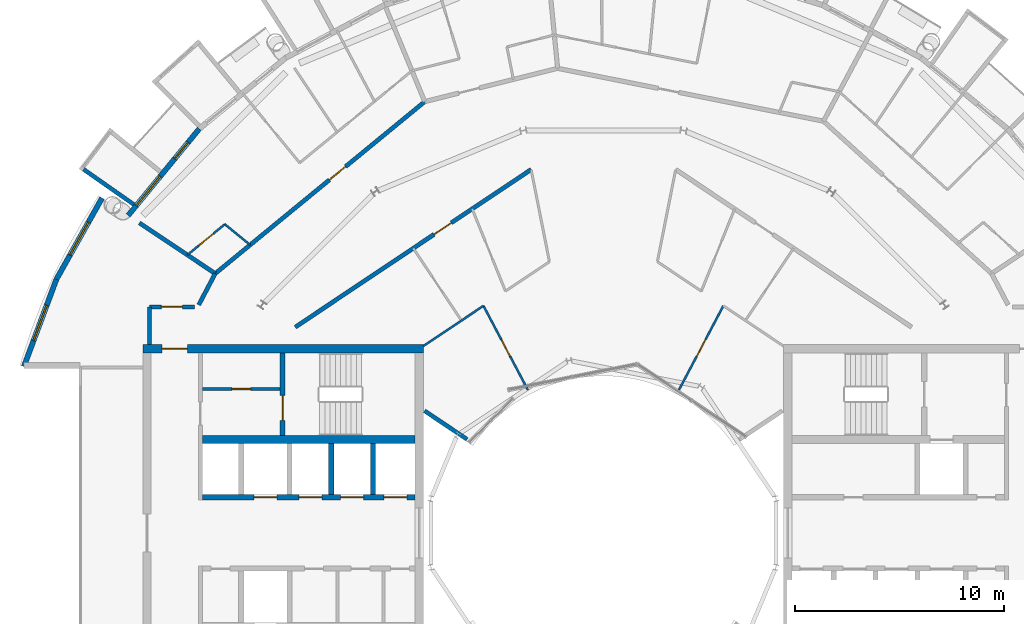
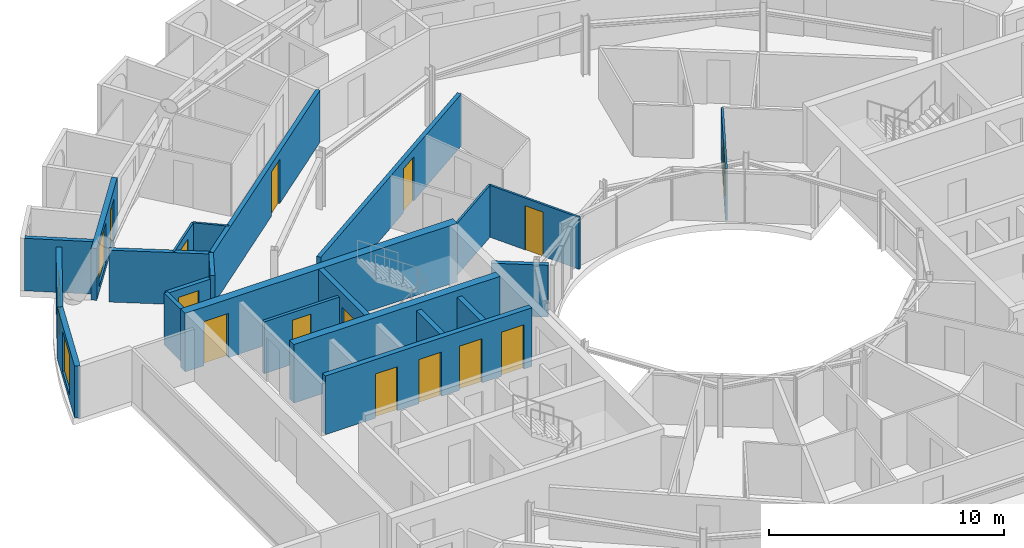
# One storey, part 20 of 28: 23 walls, 14 doors, 3 windows, 17 openings.
"""IFC4 building model written with IfcOpenShell, lengths in metres."""

from ifc_helpers import new_model, si_unit, direction, frame, frame_2d, origin, place, context, subcontext, project, spatial, rectangle, extrude, material, layer, layer_set, type_object, element, fill, save


model = new_model("IFC4")

# Units and contexts
model_context = context("Model", 3, precision=1e-05, world=origin(), true_north=direction((0.0, 1.0)))
body_context = subcontext(model_context, "Body", "Model", "MODEL_VIEW")
ifc_project = project(units=[si_unit("LENGTHUNIT", "METRE"), si_unit("AREAUNIT", "SQUARE_METRE"), si_unit("VOLUMEUNIT", "CUBIC_METRE"), si_unit("PLANEANGLEUNIT", "RADIAN"), si_unit("MASSUNIT", "GRAM", prefix="KILO")], contexts=[model_context])

# Site, building, storey
site_placement = place(None, origin())
site = spatial("IfcSite", under=ifc_project, at=site_placement, CompositionType="ELEMENT")
building_placement = place(site_placement, origin())
building = spatial("IfcBuilding", under=site, at=building_placement, Name="Maasbend Ring Residences", CompositionType="ELEMENT")
storey_placement = place(building_placement, frame((0.0, 0.0, 231.0)))
storey = spatial("IfcBuildingStorey", under=building, at=storey_placement, Name="L66", CompositionType="ELEMENT", Elevation=231.0)

# Wall, openings, doors
ifc_material_1 = material(Name="Concrete C50/60", Category="concrete")
ifc_layer_1 = layer(ifc_material_1, 0.25)
ifc_layer_set_1 = layer_set([ifc_layer_1], Name="Concrete C50/60")
wall_type_1 = type_object("IfcWallType", Name="CORE WALL 250 C50/60", PredefinedType="SHEAR", material=ifc_layer_set_1)
wall_1_placement = place(storey_placement, frame((-9.0, 1.699951171875, 0.0), z_axis=(0.0, 0.0, 1.0), x_axis=(-1.0, 0.0, 0.0)))
wall_1 = element("IfcWall", 1, at=wall_1_placement, inside=storey, type_object=wall_type_1, Name="L66 core W wall SPS", PredefinedType="SHEAR", context=body_context, shape_type="SweptSolid", body=[
    extrude(rectangle(XDim=10.14990234375, YDim=0.25, at=frame_2d((5.074951171875, 0.0))), origin(), (0.0, 0.0, 1.0), 3.050048828125),
])
opening_1_placement = place(wall_1_placement, frame((0.387451171875, 0.0, 0.0)))
opening_1 = element("IfcOpeningElement", 2, at=opening_1_placement, cuts=wall_1, Name="Opening LD-W6602", PredefinedType="OPENING", context=body_context, shape_type="SweptSolid", body=[
    extrude(rectangle(XDim=1.10009765625, YDim=2.300048828125, at=frame_2d((0.550048828125, 1.14990234375))), frame((0.0, 0.135009765625, 0.0), z_axis=(0.0, -1.0, 0.0), x_axis=(1.0, 0.0, 0.0)), (0.0, 0.0, 1.0), 0.27001953125),
])
opening_2_placement = place(wall_1_placement, frame((2.449951171875, 0.0, 0.0)))
opening_2 = element("IfcOpeningElement", 3, at=opening_2_placement, cuts=wall_1, Name="Opening LD-W6603", PredefinedType="OPENING", context=body_context, shape_type="SweptSolid", body=[
    extrude(rectangle(XDim=1.10009765625, YDim=2.300048828125, at=frame_2d((0.550048828125, 1.14990234375))), frame((0.0, 0.135009765625, 0.0), z_axis=(0.0, -1.0, 0.0), x_axis=(1.0, 0.0, 0.0)), (0.0, 0.0, 1.0), 0.27001953125),
])
opening_3_placement = place(wall_1_placement, frame((4.449951171875, 0.0, 0.0)))
opening_3 = element("IfcOpeningElement", 4, at=opening_3_placement, cuts=wall_1, Name="Opening LD-W6604", PredefinedType="OPENING", context=body_context, shape_type="SweptSolid", body=[
    extrude(rectangle(XDim=1.10009765625, YDim=2.300048828125, at=frame_2d((0.550048828125, 1.14990234375))), frame((0.0, 0.135009765625, 0.0), z_axis=(0.0, -1.0, 0.0), x_axis=(1.0, 0.0, 0.0)), (0.0, 0.0, 1.0), 0.27001953125),
])
opening_4_placement = place(wall_1_placement, frame((6.60009765625, 0.0, 0.0)))
opening_4 = element("IfcOpeningElement", 5, at=opening_4_placement, cuts=wall_1, Name="Opening LD-W6605", PredefinedType="OPENING", context=body_context, shape_type="SweptSolid", body=[
    extrude(rectangle(XDim=1.10009765625, YDim=2.300048828125, at=frame_2d((0.550048828125, 1.14990234375))), frame((0.0, 0.135009765625, 0.0), z_axis=(0.0, -1.0, 0.0), x_axis=(1.0, 0.0, 0.0)), (0.0, 0.0, 1.0), 0.27001953125),
])
ifc_material_2 = material(Name="Stainless steel 316", Category="steel")
door_type_1 = type_object("IfcDoorType", Name="LANDING DOOR 1100 X 2300 FD60", OperationType="DOUBLE_DOOR_SLIDING", PredefinedType="DOOR", material=ifc_material_2)
door_1_placement = place(opening_1_placement, origin())
door_1 = element("IfcDoor", 6, at=door_1_placement, inside=storey, type_object=door_type_1, Name="Landing door HR-W1 L66", OperationType="DOUBLE_DOOR_SLIDING", OverallHeight=2.300048828125, OverallWidth=1.10009765625, PredefinedType="DOOR", context=body_context, shape_type="SweptSolid", body=[
    extrude(rectangle(XDim=1.10009765625, YDim=2.300048828125, at=frame_2d((0.550048828125, 1.14990234375))), frame((0.0, 0.02490234375, 0.0), z_axis=(0.0, -1.0, 0.0), x_axis=(1.0, 0.0, 0.0)), (0.0, 0.0, 1.0), 0.050048828125),
])
fill(opening_1, door_1)
door_2_placement = place(opening_2_placement, origin())
door_2 = element("IfcDoor", 7, at=door_2_placement, inside=storey, type_object=door_type_1, Name="Landing door HR-W2 L66", OperationType="DOUBLE_DOOR_SLIDING", OverallHeight=2.300048828125, OverallWidth=1.10009765625, PredefinedType="DOOR", context=body_context, shape_type="SweptSolid", body=[
    extrude(rectangle(XDim=1.10009765625, YDim=2.300048828125, at=frame_2d((0.550048828125, 1.14990234375))), frame((0.0, 0.02490234375, 0.0), z_axis=(0.0, -1.0, 0.0), x_axis=(1.0, 0.0, 0.0)), (0.0, 0.0, 1.0), 0.050048828125),
])
fill(opening_2, door_2)
door_3_placement = place(opening_3_placement, origin())
door_3 = element("IfcDoor", 8, at=door_3_placement, inside=storey, type_object=door_type_1, Name="Landing door HR-W3 L66", OperationType="DOUBLE_DOOR_SLIDING", OverallHeight=2.300048828125, OverallWidth=1.10009765625, PredefinedType="DOOR", context=body_context, shape_type="SweptSolid", body=[
    extrude(rectangle(XDim=1.10009765625, YDim=2.300048828125, at=frame_2d((0.550048828125, 1.14990234375))), frame((0.0, 0.02490234375, 0.0), z_axis=(0.0, -1.0, 0.0), x_axis=(1.0, 0.0, 0.0)), (0.0, 0.0, 1.0), 0.050048828125),
])
fill(opening_3, door_3)
door_4_placement = place(opening_4_placement, origin())
door_4 = element("IfcDoor", 9, at=door_4_placement, inside=storey, type_object=door_type_1, Name="Landing door SV-W L66", OperationType="DOUBLE_DOOR_SLIDING", OverallHeight=2.300048828125, OverallWidth=1.10009765625, PredefinedType="DOOR", context=body_context, shape_type="SweptSolid", body=[
    extrude(rectangle(XDim=1.10009765625, YDim=2.300048828125, at=frame_2d((0.550048828125, 1.14990234375))), frame((0.0, 0.02490234375, 0.0), z_axis=(0.0, -1.0, 0.0), x_axis=(1.0, 0.0, 0.0)), (0.0, 0.0, 1.0), 0.050048828125),
])
fill(opening_4, door_4)

# Wall, opening, door
wall_2_placement = place(storey_placement, frame((-15.324951171875, 8.60009765625, 0.0), z_axis=(0.0, 0.0, 1.0), x_axis=(0.0, -1.0, 0.0)))
wall_2 = element("IfcWall", 10, at=wall_2_placement, inside=storey, type_object=wall_type_1, Name="L66 core W wall STES", PredefinedType="SHEAR", context=body_context, shape_type="SweptSolid", body=[
    extrude(rectangle(XDim=3.9501953125, YDim=0.25, at=frame_2d((1.97509765625, 0.0))), origin(), (0.0, 0.0, 1.0), 3.050048828125),
])
opening_5_placement = place(wall_2_placement, frame((2.02490234375, 0.0, 0.0)))
opening_5 = element("IfcOpeningElement", 11, at=opening_5_placement, cuts=wall_2, Name="Opening D-W6612", PredefinedType="OPENING", context=body_context, shape_type="SweptSolid", body=[
    extrude(rectangle(XDim=1.199951171875, YDim=2.300048828125, at=frame_2d((0.60009765625, 1.14990234375))), frame((0.0, 0.135009765625, 0.0), z_axis=(0.0, -1.0, 0.0), x_axis=(1.0, 0.0, 0.0)), (0.0, 0.0, 1.0), 0.27001953125),
])
ifc_material_3 = material(Name="Steel, powder coated", Category="steel")
door_type_2 = type_object("IfcDoorType", Name="STAIR DOOR 1200 X 2300 FD60", OperationType="NOTDEFINED", PredefinedType="DOOR", material=ifc_material_3)
door_5_placement = place(opening_5_placement, origin())
door_5 = element("IfcDoor", 12, at=door_5_placement, inside=storey, type_object=door_type_2, Name="Stair door ST-W L66", OperationType="SINGLE_SWING_LEFT", OverallHeight=2.300048828125, OverallWidth=1.199951171875, PredefinedType="DOOR", context=body_context, shape_type="SweptSolid", body=[
    extrude(rectangle(XDim=1.199951171875, YDim=2.300048828125, at=frame_2d((0.60009765625, 1.14990234375))), frame((0.0, 0.02490234375, 0.0), z_axis=(0.0, -1.0, 0.0), x_axis=(1.0, 0.0, 0.0)), (0.0, 0.0, 1.0), 0.050048828125),
])
fill(opening_5, door_5)

# Wall
ifc_material_4 = material(Name="Concrete C50/60", Category="concrete")
ifc_layer_2 = layer(ifc_material_4, 0.375)
ifc_layer_set_2 = layer_set([ifc_layer_2], Name="Concrete C50/60")
wall_type_2 = type_object("IfcWallType", Name="CORE WALL 375 C50/60", PredefinedType="SHEAR", material=ifc_layer_set_2)
wall_3_placement = place(storey_placement, frame((-9.0, 4.46240234375, 0.0), z_axis=(0.0, 0.0, 1.0), x_axis=(-1.0, 0.0, 0.0)))
element("IfcWall", 13, at=wall_3_placement, inside=storey, type_object=wall_type_2, Name="L66 core W wall BS", PredefinedType="SHEAR", context=body_context, shape_type="SweptSolid", body=[
    extrude(rectangle(XDim=10.14990234375, YDim=0.375, at=frame_2d((5.074951171875, 0.0))), origin(), (0.0, 0.0, 1.0), 3.050048828125),
])

# Wall, opening, door
ifc_material_5 = material(Name="Concrete C50/60", Category="concrete")
ifc_layer_3 = layer(ifc_material_5, 0.39990234375)
ifc_layer_set_3 = layer_set([ifc_layer_3], Name="Concrete C50/60")
wall_type_3 = type_object("IfcWallType", Name="CORE WALL 400 C50/60", PredefinedType="SHEAR", material=ifc_layer_set_3)
wall_4_placement = place(storey_placement, frame((-8.60009765625, 8.800048828125, 0.0), z_axis=(0.0, 0.0, 1.0), x_axis=(-1.0, 0.0, 0.0)))
wall_4 = element("IfcWall", 14, at=wall_4_placement, inside=storey, type_object=wall_type_3, Name="L66 core W wall PS", PredefinedType="SHEAR", context=body_context, shape_type="SweptSolid", body=[
    extrude(rectangle(XDim=13.39990234375, YDim=0.39990234375, at=frame_2d((6.699951171875, 0.0))), origin(), (0.0, 0.0, 1.0), 3.050048828125),
])
opening_6_placement = place(wall_4_placement, frame((11.27490234375, 0.0, 0.0)))
opening_6 = element("IfcOpeningElement", 15, at=opening_6_placement, cuts=wall_4, Name="Opening D-W6616", PredefinedType="OPENING", context=body_context, shape_type="SweptSolid", body=[
    extrude(rectangle(XDim=1.199951171875, YDim=2.300048828125, at=frame_2d((0.60009765625, 1.14990234375))), frame((0.0, 0.2099609375, 0.0), z_axis=(0.0, -1.0, 0.0), x_axis=(1.0, 0.0, 0.0)), (0.0, 0.0, 1.0), 0.419921875),
])
ifc_material_6 = material(Name="Steel, powder coated", Category="steel")
door_type_3 = type_object("IfcDoorType", Name="CORRIDOR DOOR 1200 X 2300 FD30S", OperationType="NOTDEFINED", PredefinedType="DOOR", material=ifc_material_6)
door_6_placement = place(opening_6_placement, origin())
door_6 = element("IfcDoor", 16, at=door_6_placement, inside=storey, type_object=door_type_3, Name="Corridor door L66", OperationType="SINGLE_SWING_LEFT", OverallHeight=2.300048828125, OverallWidth=1.199951171875, PredefinedType="DOOR", context=body_context, shape_type="SweptSolid", body=[
    extrude(rectangle(XDim=1.199951171875, YDim=2.300048828125, at=frame_2d((0.60009765625, 1.14990234375))), frame((0.0, 0.02490234375, 0.0), z_axis=(0.0, -1.0, 0.0), x_axis=(1.0, 0.0, 0.0)), (0.0, 0.0, 1.0), 0.050048828125),
])
fill(opening_6, door_6)

ifc_material_7 = material(Name="Concrete C30/37", Category="concrete")
ifc_layer_4 = layer(ifc_material_7, 0.199951171875)
ifc_layer_set_4 = layer_set([ifc_layer_4], Name="Concrete C30/37")
wall_type_4 = type_object("IfcWallType", Name="CORRIDOR WALL 200 CONCRETE", PredefinedType="PARTITIONING", material=ifc_layer_set_4)
wall_5_placement = place(storey_placement, frame((-21.675048828125, 10.800048828125, 0.0), z_axis=(0.0, 0.0, 1.0), x_axis=(1.0, 0.0, 0.0)))
wall_5 = element("IfcWall", 17, at=wall_5_placement, inside=storey, type_object=wall_type_4, Name="U-L66-w085", PredefinedType="PARTITIONING", context=body_context, shape_type="SweptSolid", body=[
    extrude(rectangle(XDim=2.132080078125, YDim=0.199951171875, at=frame_2d((1.06591796875, 0.0))), origin(), (0.0, 0.0, 1.0), 2.699951171875),
])
opening_7_placement = place(wall_5_placement, frame((0.56591796875, 0.0, 0.0)))
opening_7 = element("IfcOpeningElement", 18, at=opening_7_placement, cuts=wall_5, Name="Opening D-6658", PredefinedType="OPENING", context=body_context, shape_type="SweptSolid", body=[
    extrude(rectangle(XDim=1.0, YDim=2.300048828125, at=frame_2d((0.5, 1.14990234375))), frame((0.0, 0.10986328125, 0.0), z_axis=(0.0, -1.0, 0.0), x_axis=(1.0, 0.0, 0.0)), (0.0, 0.0, 1.0), 0.219970703125),
])
ifc_material_8 = material(Name="Timber, painted", Category="wood")
door_type_4 = type_object("IfcDoorType", Name="ROOM DOOR 1000 X 2300", OperationType="NOTDEFINED", PredefinedType="DOOR", material=ifc_material_8)
door_7_placement = place(opening_7_placement, origin())
door_7 = element("IfcDoor", 19, at=door_7_placement, inside=storey, type_object=door_type_4, Name="D-6658", OperationType="SINGLE_SWING_LEFT", OverallHeight=2.300048828125, OverallWidth=1.0, PredefinedType="DOOR", context=body_context, shape_type="SweptSolid", body=[
    extrude(rectangle(XDim=1.0, YDim=2.300048828125, at=frame_2d((0.5, 1.14990234375))), frame((0.0, 0.02490234375, 0.0), z_axis=(0.0, -1.0, 0.0), x_axis=(1.0, 0.0, 0.0)), (0.0, 0.0, 1.0), 0.050048828125),
])
fill(opening_7, door_7)

wall_6_placement = place(storey_placement, frame((-14.718017578125, 9.83203125, 0.0), z_axis=(0.0, 0.0, 1.0), x_axis=(0.831437137577, 0.555618831806, 0.0)))
wall_6 = element("IfcWall", 20, at=wall_6_placement, inside=storey, type_object=wall_type_4, Name="U-L66-w091", PredefinedType="PARTITIONING", context=body_context, shape_type="SweptSolid", body=[
    extrude(rectangle(XDim=13.549072265625, YDim=0.199951171875, at=frame_2d((6.7744140625, 0.0))), origin(), (0.0, 0.0, 1.0), 2.699951171875),
])
opening_8_placement = place(wall_6_placement, frame((7.968017578125, 0.0, 0.0)))
opening_8 = element("IfcOpeningElement", 21, at=opening_8_placement, cuts=wall_6, Name="Opening D-6623", PredefinedType="OPENING", context=body_context, shape_type="SweptSolid", body=[
    extrude(rectangle(XDim=1.0, YDim=2.300048828125, at=frame_2d((0.5, 1.14990234375))), frame((0.0, 0.10986328125, 0.0), z_axis=(0.0, -1.0, 0.0), x_axis=(1.0, 0.0, 0.0)), (0.0, 0.0, 1.0), 0.219970703125),
])
ifc_material_9 = material(Name="Timber, fire-rated, painted", Category="wood")
door_type_5 = type_object("IfcDoorType", Name="FLAT ENTRANCE DOOR 1000 X 2300 FIRE-RATED", OperationType="NOTDEFINED", PredefinedType="DOOR", material=ifc_material_9)
door_8_placement = place(opening_8_placement, origin())
door_8 = element("IfcDoor", 22, at=door_8_placement, inside=storey, type_object=door_type_5, Name="D-6623", OperationType="SINGLE_SWING_RIGHT", OverallHeight=2.300048828125, OverallWidth=1.0, PredefinedType="DOOR", context=body_context, shape_type="SweptSolid", body=[
    extrude(rectangle(XDim=1.0, YDim=2.300048828125, at=frame_2d((0.5, 1.14990234375))), frame((0.0, 0.02490234375, 0.0), z_axis=(0.0, -1.0, 0.0), x_axis=(1.0, 0.0, 0.0)), (0.0, 0.0, 1.0), 0.050048828125),
])
fill(opening_8, door_8)

wall_7_placement = place(storey_placement, frame((-18.5419921875, 12.388916015625, 0.0), z_axis=(0.0, 0.0, 1.0), x_axis=(0.772983503654, 0.634426121056, 0.0)))
wall_7 = element("IfcWall", 23, at=wall_7_placement, inside=storey, type_object=wall_type_4, Name="U-L66-w093", PredefinedType="PARTITIONING", context=body_context, shape_type="SweptSolid", body=[
    extrude(rectangle(XDim=12.947265625, YDim=0.199951171875, at=frame_2d((6.4736328125, 0.0))), origin(), (0.0, 0.0, 1.0), 2.699951171875),
])
opening_9_placement = place(wall_7_placement, frame((7.052978515625, 0.0, 0.0)))
opening_9 = element("IfcOpeningElement", 24, at=opening_9_placement, cuts=wall_7, Name="Opening D-6614", PredefinedType="OPENING", context=body_context, shape_type="SweptSolid", body=[
    extrude(rectangle(XDim=1.0, YDim=2.300048828125, at=frame_2d((0.5, 1.14990234375))), frame((0.0, 0.10986328125, 0.0), z_axis=(0.0, -1.0, 0.0), x_axis=(1.0, 0.0, 0.0)), (0.0, 0.0, 1.0), 0.219970703125),
])
door_9_placement = place(opening_9_placement, origin())
door_9 = element("IfcDoor", 25, at=door_9_placement, inside=storey, type_object=door_type_5, Name="D-6614", OperationType="SINGLE_SWING_RIGHT", OverallHeight=2.300048828125, OverallWidth=1.0, PredefinedType="DOOR", context=body_context, shape_type="SweptSolid", body=[
    extrude(rectangle(XDim=1.0, YDim=2.300048828125, at=frame_2d((0.5, 1.14990234375))), frame((0.0, 0.02490234375, 0.0), z_axis=(0.0, -1.0, 0.0), x_axis=(1.0, 0.0, 0.0)), (0.0, 0.0, 1.0), 0.050048828125),
])
fill(opening_9, door_9)

# Walls
wall_8_placement = place(storey_placement, frame((-21.675048828125, 9.0, 0.0), z_axis=(0.0, 0.0, 1.0), x_axis=(0.0, 1.0, 0.0)))
element("IfcWall", 26, at=wall_8_placement, inside=storey, type_object=wall_type_4, Name="U-L66-w097", PredefinedType="PARTITIONING", context=body_context, shape_type="SweptSolid", body=[
    extrude(rectangle(XDim=1.800048828125, YDim=0.199951171875, at=frame_2d((0.89990234375, 0.0))), origin(), (0.0, 0.0, 1.0), 2.699951171875),
])
wall_9_placement = place(storey_placement, frame((-19.327880859375, 10.89599609375, 0.0), z_axis=(0.0, 0.0, 1.0), x_axis=(0.465812036273, 0.88488369115, 0.0)))
element("IfcWall", 27, at=wall_9_placement, inside=storey, type_object=wall_type_4, Name="U-L66-w099", PredefinedType="PARTITIONING", context=body_context, shape_type="SweptSolid", body=[
    extrude(rectangle(XDim=1.687255859375, YDim=0.199951171875, at=frame_2d((0.84375, 0.0))), origin(), (0.0, 0.0, 1.0), 2.699951171875),
])
ifc_material_10 = material(Name="Pale anodised aluminium panel", Category="aluminium")
ifc_layer_5 = layer(ifc_material_10, 0.199951171875)
ifc_layer_set_5 = layer_set([ifc_layer_5], Name="EW-BOX")
wall_type_5 = type_object("IfcWallType", Name="EW-BOX", PredefinedType="SOLIDWALL", material=ifc_layer_set_5)
wall_10_placement = place(storey_placement, frame((-22.43310546875, 15.68798828125, -0.030029296875), z_axis=(0.0, 0.0, 1.0), x_axis=(-0.819373043115, 0.573260687834, 0.0)))
element("IfcWall", 28, at=wall_10_placement, inside=storey, type_object=wall_type_5, Name="Box side wall N20 right", PredefinedType="SOLIDWALL", context=body_context, shape_type="SweptSolid", body=[
    extrude(rectangle(XDim=2.92529296875, YDim=0.199951171875, at=frame_2d((1.462646484375, 0.0))), origin(), (0.0, 0.0, 1.0), 2.72998046875),
])

# Wall, openings, door, window
ifc_material_11 = material(Name="Aluminium clad insulated panel", Category="aluminium")
ifc_layer_6 = layer(ifc_material_11, 0.25)
ifc_layer_set_6 = layer_set([ifc_layer_6], Name="EW-GL")
wall_type_6 = type_object("IfcWallType", Name="EW-GL", PredefinedType="SOLIDWALL", material=ifc_layer_set_6)
wall_11_placement = place(storey_placement, frame((-19.303955078125, 19.303955078125, 0.0), z_axis=(0.0, 0.0, 1.0), x_axis=(-0.634382322723, -0.773019449054, 0.0)))
wall_11 = element("IfcWall", 29, at=wall_11_placement, inside=storey, type_object=wall_type_6, Name="External wall N10", PredefinedType="SOLIDWALL", context=body_context, shape_type="SweptSolid", body=[
    extrude(rectangle(XDim=5.351806640625, YDim=0.25, at=frame_2d((2.67578125, 0.0))), origin(), (0.0, 0.0, 1.0), 2.699951171875),
])
opening_10_placement = place(wall_11_placement, frame((0.841064453125, 0.0, 0.0)))
opening_10 = element("IfcOpeningElement", 30, at=opening_10_placement, cuts=wall_11, Name="Opening D-LG", PredefinedType="OPENING", context=body_context, shape_type="SweptSolid", body=[
    extrude(rectangle(XDim=1.0, YDim=2.199951171875, at=frame_2d((0.5, 1.10009765625))), frame((0.0, 0.135009765625, 0.0), z_axis=(0.0, -1.0, 0.0), x_axis=(1.0, 0.0, 0.0)), (0.0, 0.0, 1.0), 0.27001953125),
])
opening_11_placement = place(wall_11_placement, frame((2.935791015625, 0.0, 0.300048828125)))
opening_11 = element("IfcOpeningElement", 31, at=opening_11_placement, cuts=wall_11, Name="Opening W-BX", PredefinedType="OPENING", context=body_context, shape_type="SweptSolid", body=[
    extrude(rectangle(XDim=1.800048828125, YDim=2.10009765625, at=frame_2d((0.89990234375, 1.050048828125))), frame((0.0, 0.135009765625, 0.0), z_axis=(0.0, -1.0, 0.0), x_axis=(1.0, 0.0, 0.0)), (0.0, 0.0, 1.0), 0.27001953125),
])
ifc_material_12 = material(Name="Aluminium and clear glass", Category="aluminium")
door_type_6 = type_object("IfcDoorType", Name="D-LG", OperationType="SINGLE_SWING_LEFT", PredefinedType="DOOR", material=ifc_material_12)
door_10_placement = place(opening_10_placement, origin())
door_10 = element("IfcDoor", 32, at=door_10_placement, inside=storey, type_object=door_type_6, Name="Loggia door N19", OperationType="SINGLE_SWING_LEFT", OverallHeight=2.199951171875, OverallWidth=1.0, PredefinedType="DOOR", context=body_context, shape_type="SweptSolid", body=[
    extrude(rectangle(XDim=1.0, YDim=2.199951171875, at=frame_2d((0.5, 1.10009765625))), frame((0.0, 0.02490234375, 0.0), z_axis=(0.0, -1.0, 0.0), x_axis=(1.0, 0.0, 0.0)), (0.0, 0.0, 1.0), 0.050048828125),
])
fill(opening_10, door_10)
ifc_material_13 = material(Name="Aluminium and clear glass", Category="aluminium")
window_type = type_object("IfcWindowType", Name="W-BX", PartitioningType="DOUBLE_PANEL_VERTICAL", PredefinedType="WINDOW", material=ifc_material_13)
window_1_placement = place(opening_11_placement, origin())
window_1 = element("IfcWindow", 33, at=window_1_placement, inside=storey, type_object=window_type, Name="Window N20 room to box", OverallHeight=2.10009765625, OverallWidth=1.800048828125, PartitioningType="SINGLE_PANEL", PredefinedType="WINDOW", context=body_context, shape_type="SweptSolid", body=[
    extrude(rectangle(XDim=1.800048828125, YDim=2.10009765625, at=frame_2d((0.89990234375, 1.050048828125))), frame((0.0, 0.030029296875, 0.0), z_axis=(0.0, -1.0, 0.0), x_axis=(1.0, 0.0, 0.0)), (0.0, 0.0, 1.0), 0.06005859375),
])
fill(opening_11, window_1)

# Wall, opening, window
ifc_material_14 = material(Name="Aluminium clad insulated panel", Category="aluminium")
ifc_layer_7 = layer(ifc_material_14, 0.25)
ifc_layer_set_7 = layer_set([ifc_layer_7], Name="EW-HORN")
wall_type_7 = type_object("IfcWallType", Name="EW-HORN", PredefinedType="SOLIDWALL", material=ifc_layer_set_7)
wall_12_placement = place(storey_placement, frame((-23.946044921875, 16.0, 0.0), z_axis=(0.0, 0.0, 1.0), x_axis=(-0.489696356642, -0.871893042919, 0.0)))
wall_12 = element("IfcWall", 34, at=wall_12_placement, inside=storey, type_object=wall_type_7, Name="Horn wall 4.1", PredefinedType="SOLIDWALL", context=body_context, shape_type="SweptSolid", body=[
    extrude(rectangle(XDim=4.45361328125, YDim=0.25, at=frame_2d((2.226806640625, 0.0))), origin(), (0.0, 0.0, 1.0), 2.699951171875),
])
opening_12_placement = place(wall_12_placement, frame((1.32666015625, 0.0, 0.300048828125)))
opening_12 = element("IfcOpeningElement", 35, at=opening_12_placement, cuts=wall_12, Name="Opening W-BX", PredefinedType="OPENING", context=body_context, shape_type="SweptSolid", body=[
    extrude(rectangle(XDim=1.800048828125, YDim=2.10009765625, at=frame_2d((0.89990234375, 1.050048828125))), frame((0.0, 0.135009765625, 0.0), z_axis=(0.0, -1.0, 0.0), x_axis=(1.0, 0.0, 0.0)), (0.0, 0.0, 1.0), 0.27001953125),
])
window_2_placement = place(opening_12_placement, origin())
window_2 = element("IfcWindow", 36, at=window_2_placement, inside=storey, type_object=window_type, Name="Horn window 4.1", OverallHeight=2.10009765625, OverallWidth=1.800048828125, PartitioningType="SINGLE_PANEL", PredefinedType="WINDOW", context=body_context, shape_type="SweptSolid", body=[
    extrude(rectangle(XDim=1.800048828125, YDim=2.10009765625, at=frame_2d((0.89990234375, 1.050048828125))), frame((0.0, 0.030029296875, 0.0), z_axis=(0.0, -1.0, 0.0), x_axis=(1.0, 0.0, 0.0)), (0.0, 0.0, 1.0), 0.06005859375),
])
fill(opening_12, window_2)

wall_13_placement = place(storey_placement, frame((-26.126953125, 12.116943359375, 0.0), z_axis=(0.0, 0.0, 1.0), x_axis=(-0.349247811493, -0.937030397675, 0.0)))
wall_13 = element("IfcWall", 37, at=wall_13_placement, inside=storey, type_object=wall_type_7, Name="Horn wall 4.2", PredefinedType="SOLIDWALL", context=body_context, shape_type="SweptSolid", body=[
    extrude(rectangle(XDim=4.4521484375, YDim=0.25, at=frame_2d((2.22607421875, 0.0))), origin(), (0.0, 0.0, 1.0), 2.699951171875),
])
opening_13_placement = place(wall_13_placement, frame((1.32666015625, 0.0, 0.300048828125)))
opening_13 = element("IfcOpeningElement", 38, at=opening_13_placement, cuts=wall_13, Name="Opening W-BX", PredefinedType="OPENING", context=body_context, shape_type="SweptSolid", body=[
    extrude(rectangle(XDim=1.800048828125, YDim=2.10009765625, at=frame_2d((0.89990234375, 1.050048828125))), frame((0.0, 0.135009765625, 0.0), z_axis=(0.0, -1.0, 0.0), x_axis=(1.0, 0.0, 0.0)), (0.0, 0.0, 1.0), 0.27001953125),
])
window_3_placement = place(opening_13_placement, origin())
window_3 = element("IfcWindow", 39, at=window_3_placement, inside=storey, type_object=window_type, Name="Horn window 4.2", OverallHeight=2.10009765625, OverallWidth=1.800048828125, PartitioningType="SINGLE_PANEL", PredefinedType="WINDOW", context=body_context, shape_type="SweptSolid", body=[
    extrude(rectangle(XDim=1.800048828125, YDim=2.10009765625, at=frame_2d((0.89990234375, 1.050048828125))), frame((0.0, 0.030029296875, 0.0), z_axis=(0.0, -1.0, 0.0), x_axis=(1.0, 0.0, 0.0)), (0.0, 0.0, 1.0), 0.06005859375),
])
fill(opening_13, window_3)

# Wall
ifc_material_15 = material(Name="Gypsum board on steel studs", Category="steel")
ifc_layer_8 = layer(ifc_material_15, 0.10009765625)
ifc_layer_set_8 = layer_set([ifc_layer_8], Name="PARTITION 100 GYPSUM")
wall_type_8 = type_object("IfcWallType", Name="PARTITION 100 GYPSUM", PredefinedType="PARTITIONING", material=ifc_layer_set_8)
wall_14_placement = place(storey_placement, frame((-18.083984375, 14.7451171875, 0.0), z_axis=(0.0, 0.0, 1.0), x_axis=(0.774869051393, -0.632121786679, 0.0)))
element("IfcWall", 40, at=wall_14_placement, inside=storey, type_object=wall_type_8, Name="U-L66-w035", PredefinedType="PARTITIONING", context=body_context, shape_type="SweptSolid", body=[
    extrude(rectangle(XDim=1.5615234375, YDim=0.10009765625, at=frame_2d((0.78076171875, 0.0))), origin(), (0.0, 0.0, 1.0), 2.699951171875),
])

# Wall, opening, door
wall_15_placement = place(storey_placement, frame((-5.72900390625, 10.84912109375, 0.0), z_axis=(0.0, 0.0, 1.0), x_axis=(0.466962677975, -0.884277025246, 0.0)))
wall_15 = element("IfcWall", 41, at=wall_15_placement, inside=storey, type_object=wall_type_8, Name="U-L66-w048", PredefinedType="PARTITIONING", context=body_context, shape_type="SweptSolid", body=[
    extrude(rectangle(XDim=4.548583984375, YDim=0.10009765625, at=frame_2d((2.2744140625, 0.0))), origin(), (0.0, 0.0, 1.0), 2.699951171875),
])
opening_14_placement = place(wall_15_placement, frame((1.823974609375, 0.0, 0.0)))
opening_14 = element("IfcOpeningElement", 42, at=opening_14_placement, cuts=wall_15, Name="Opening D-6626", PredefinedType="OPENING", context=body_context, shape_type="SweptSolid", body=[
    extrude(rectangle(XDim=0.89990234375, YDim=2.300048828125, at=frame_2d((0.449951171875, 1.14990234375))), frame((0.0, 0.06005859375, 0.0), z_axis=(0.0, -1.0, 0.0), x_axis=(1.0, 0.0, 0.0)), (0.0, 0.0, 1.0), 0.1201171875),
])
ifc_material_16 = material(Name="Timber, painted", Category="wood")
door_type_7 = type_object("IfcDoorType", Name="INTERNAL DOOR 900 X 2300", OperationType="NOTDEFINED", PredefinedType="DOOR", material=ifc_material_16)
door_11_placement = place(opening_14_placement, origin())
door_11 = element("IfcDoor", 43, at=door_11_placement, inside=storey, type_object=door_type_7, Name="D-6626", OperationType="SINGLE_SWING_RIGHT", OverallHeight=2.300048828125, OverallWidth=0.89990234375, PredefinedType="DOOR", context=body_context, shape_type="SweptSolid", body=[
    extrude(rectangle(XDim=0.89990234375, YDim=2.300048828125, at=frame_2d((0.449951171875, 1.14990234375))), frame((0.0, 0.02490234375, 0.0), z_axis=(0.0, -1.0, 0.0), x_axis=(1.0, 0.0, 0.0)), (0.0, 0.0, 1.0), 0.050048828125),
])
fill(opening_14, door_11)

wall_16_placement = place(storey_placement, frame((3.60498046875, 6.826904296875, 0.0), z_axis=(0.0, 0.0, 1.0), x_axis=(0.466962677975, 0.884277025246, 0.0)))
wall_16 = element("IfcWall", 44, at=wall_16_placement, inside=storey, type_object=wall_type_8, Name="U-L66-w059", PredefinedType="PARTITIONING", context=body_context, shape_type="SweptSolid", body=[
    extrude(rectangle(XDim=4.548583984375, YDim=0.10009765625, at=frame_2d((2.2744140625, 0.0))), origin(), (0.0, 0.0, 1.0), 2.699951171875),
])
opening_15_placement = place(wall_16_placement, frame((1.823974609375, 0.0, 0.0)))
opening_15 = element("IfcOpeningElement", 45, at=opening_15_placement, cuts=wall_16, Name="Opening D-6622", PredefinedType="OPENING", context=body_context, shape_type="SweptSolid", body=[
    extrude(rectangle(XDim=0.89990234375, YDim=2.300048828125, at=frame_2d((0.449951171875, 1.14990234375))), frame((0.0, 0.06005859375, 0.0), z_axis=(0.0, -1.0, 0.0), x_axis=(1.0, 0.0, 0.0)), (0.0, 0.0, 1.0), 0.1201171875),
])
door_12_placement = place(opening_15_placement, origin())
door_12 = element("IfcDoor", 46, at=door_12_placement, inside=storey, type_object=door_type_7, Name="D-6622", OperationType="SINGLE_SWING_LEFT", OverallHeight=2.300048828125, OverallWidth=0.89990234375, PredefinedType="DOOR", context=body_context, shape_type="SweptSolid", body=[
    extrude(rectangle(XDim=0.89990234375, YDim=2.300048828125, at=frame_2d((0.449951171875, 1.14990234375))), frame((0.0, 0.02490234375, 0.0), z_axis=(0.0, -1.0, 0.0), x_axis=(1.0, 0.0, 0.0)), (0.0, 0.0, 1.0), 0.050048828125),
])
fill(opening_15, door_12)

# Wall
wall_17_placement = place(storey_placement, frame((-8.60107421875, 8.928955078125, 0.0), z_axis=(0.0, 0.0, 1.0), x_axis=(0.831397130511, 0.555678694372, 0.0)))
element("IfcWall", 47, at=wall_17_placement, inside=storey, type_object=wall_type_8, Name="U-L66-w087", PredefinedType="PARTITIONING", context=body_context, shape_type="SweptSolid", body=[
    extrude(rectangle(XDim=3.453369140625, YDim=0.10009765625, at=frame_2d((1.7265625, 0.0))), origin(), (0.0, 0.0, 1.0), 2.699951171875),
])

# Wall, opening, door
wall_18_placement = place(storey_placement, frame((-19.8720703125, 13.278076171875, 0.0), z_axis=(0.0, 0.0, 1.0), x_axis=(0.773095932958, 0.634289112663, 0.0)))
wall_18 = element("IfcWall", 48, at=wall_18_placement, inside=storey, type_object=wall_type_8, Name="U-L66-w101", PredefinedType="PARTITIONING", context=body_context, shape_type="SweptSolid", body=[
    extrude(rectangle(XDim=2.31298828125, YDim=0.10009765625, at=frame_2d((1.156494140625, 0.0))), origin(), (0.0, 0.0, 1.0), 2.699951171875),
])
opening_16_placement = place(wall_18_placement, frame((0.7060546875, 0.0, 0.0)))
opening_16 = element("IfcOpeningElement", 49, at=opening_16_placement, cuts=wall_18, Name="Opening D-6615", PredefinedType="OPENING", context=body_context, shape_type="SweptSolid", body=[
    extrude(rectangle(XDim=0.89990234375, YDim=2.300048828125, at=frame_2d((0.449951171875, 1.14990234375))), frame((0.0, 0.06005859375, 0.0), z_axis=(0.0, -1.0, 0.0), x_axis=(1.0, 0.0, 0.0)), (0.0, 0.0, 1.0), 0.1201171875),
])
door_13_placement = place(opening_16_placement, origin())
door_13 = element("IfcDoor", 50, at=door_13_placement, inside=storey, type_object=door_type_7, Name="D-6615", OperationType="SINGLE_SWING_LEFT", OverallHeight=2.300048828125, OverallWidth=0.89990234375, PredefinedType="DOOR", context=body_context, shape_type="SweptSolid", body=[
    extrude(rectangle(XDim=0.89990234375, YDim=2.300048828125, at=frame_2d((0.449951171875, 1.14990234375))), frame((0.0, 0.02490234375, 0.0), z_axis=(0.0, -1.0, 0.0), x_axis=(1.0, 0.0, 0.0)), (0.0, 0.0, 1.0), 0.050048828125),
])
fill(opening_16, door_13)

ifc_material_17 = material(Name="Gypsum board on steel studs", Category="steel")
ifc_layer_9 = layer(ifc_material_17, 0.14990234375)
ifc_layer_set_9 = layer_set([ifc_layer_9], Name="PARTITION 150 EI 60")
wall_type_9 = type_object("IfcWallType", Name="PARTITION 150 EI 60", PredefinedType="PARTITIONING", material=ifc_layer_set_9)
wall_19_placement = place(storey_placement, frame((-15.449951171875, 6.875, 0.0), z_axis=(0.0, 0.0, 1.0), x_axis=(-1.0, 0.0, 0.0)))
wall_19 = element("IfcWall", 51, at=wall_19_placement, inside=storey, type_object=wall_type_9, Name="L66 core W wall RHS", PredefinedType="PARTITIONING", context=body_context, shape_type="SweptSolid", body=[
    extrude(rectangle(XDim=3.699951171875, YDim=0.14990234375, at=frame_2d((1.85009765625, 0.0))), origin(), (0.0, 0.0, 1.0), 2.699951171875),
])
opening_17_placement = place(wall_19_placement, frame((1.39990234375, 0.0, 0.0)))
opening_17 = element("IfcOpeningElement", 52, at=opening_17_placement, cuts=wall_19, Name="Opening D-W6610", PredefinedType="OPENING", context=body_context, shape_type="SweptSolid", body=[
    extrude(rectangle(XDim=0.89990234375, YDim=2.300048828125, at=frame_2d((0.449951171875, 1.14990234375))), frame((0.0, 0.0849609375, 0.0), z_axis=(0.0, -1.0, 0.0), x_axis=(1.0, 0.0, 0.0)), (0.0, 0.0, 1.0), 0.169921875),
])
ifc_material_18 = material(Name="Steel, powder coated", Category="steel")
door_type_8 = type_object("IfcDoorType", Name="RISER DOOR 900 X 2300 FD60", OperationType="NOTDEFINED", PredefinedType="DOOR", material=ifc_material_18)
door_14_placement = place(opening_17_placement, origin())
door_14 = element("IfcDoor", 53, at=door_14_placement, inside=storey, type_object=door_type_8, Name="Riser door L66", OperationType="SINGLE_SWING_LEFT", OverallHeight=2.300048828125, OverallWidth=0.89990234375, PredefinedType="DOOR", context=body_context, shape_type="SweptSolid", body=[
    extrude(rectangle(XDim=0.89990234375, YDim=2.300048828125, at=frame_2d((0.449951171875, 1.14990234375))), frame((0.0, 0.02490234375, 0.0), z_axis=(0.0, -1.0, 0.0), x_axis=(1.0, 0.0, 0.0)), (0.0, 0.0, 1.0), 0.050048828125),
])
fill(opening_17, door_14)

# Walls
ifc_material_19 = material(Name="Concrete C30/37", Category="concrete")
ifc_layer_10 = layer(ifc_material_19, 0.199951171875)
ifc_layer_set_10 = layer_set([ifc_layer_10], Name="Concrete C30/37")
wall_type_10 = type_object("IfcWallType", Name="PARTY WALL 200 CONCRETE", PredefinedType="PARTITIONING", material=ifc_layer_set_10)
wall_20_placement = place(storey_placement, frame((-22.166015625, 14.81103515625, 0.0), z_axis=(0.0, 0.0, 1.0), x_axis=(0.831403467378, -0.55566921314, 0.0)))
element("IfcWall", 54, at=wall_20_placement, inside=storey, type_object=wall_type_10, Name="U-L66-w033", PredefinedType="PARTITIONING", context=body_context, shape_type="SweptSolid", body=[
    extrude(rectangle(XDim=4.35888671875, YDim=0.199951171875, at=frame_2d((2.179443359375, 0.0))), origin(), (0.0, 0.0, 1.0), 2.699951171875),
])
wall_21_placement = place(storey_placement, frame((-6.512939453125, 4.471923828125, 0.0), z_axis=(0.0, 0.0, 1.0), x_axis=(-0.831450132577, 0.555599385382, 0.0)))
element("IfcWall", 55, at=wall_21_placement, inside=storey, type_object=wall_type_10, Name="U-L66-w083", PredefinedType="PARTITIONING", context=body_context, shape_type="SweptSolid", body=[
    extrude(rectangle(XDim=2.442626953125, YDim=0.199951171875, at=frame_2d((1.22119140625, 0.0))), origin(), (0.0, 0.0, 1.0), 2.699951171875),
])
ifc_material_20 = material(Name="Concrete C30/37", Category="concrete")
ifc_layer_11 = layer(ifc_material_20, 0.25)
ifc_layer_set_11 = layer_set([ifc_layer_11], Name="Concrete C30/37")
wall_type_11 = type_object("IfcWallType", Name="SHAFT WALL 250 EI 120", PredefinedType="SOLIDWALL", material=ifc_layer_set_11)
for number, where, z_axis, x_axis, name in (
    (56, (-11.0, 1.824951171875, 0.0), (0.0, 0.0, 1.0), (0.0, 1.0, 0.0), "L66 core W wall D110S"),
    (57, (-13.0, 1.824951171875, 0.0), (0.0, 0.0, 1.0), (0.0, 1.0, 0.0), "L66 core W wall D130S"),
):
    element("IfcWall", number, at=place(storey_placement, frame(where, z_axis=z_axis, x_axis=x_axis)), inside=storey, type_object=wall_type_11, Name=name, PredefinedType="SOLIDWALL", context=body_context, shape_type="SweptSolid", body=[
        extrude(rectangle(XDim=2.449951171875, YDim=0.25, at=frame_2d((1.22509765625, 0.0))), origin(), (0.0, 0.0, 1.0), 2.699951171875),
    ])

save(model, "model.ifc")
